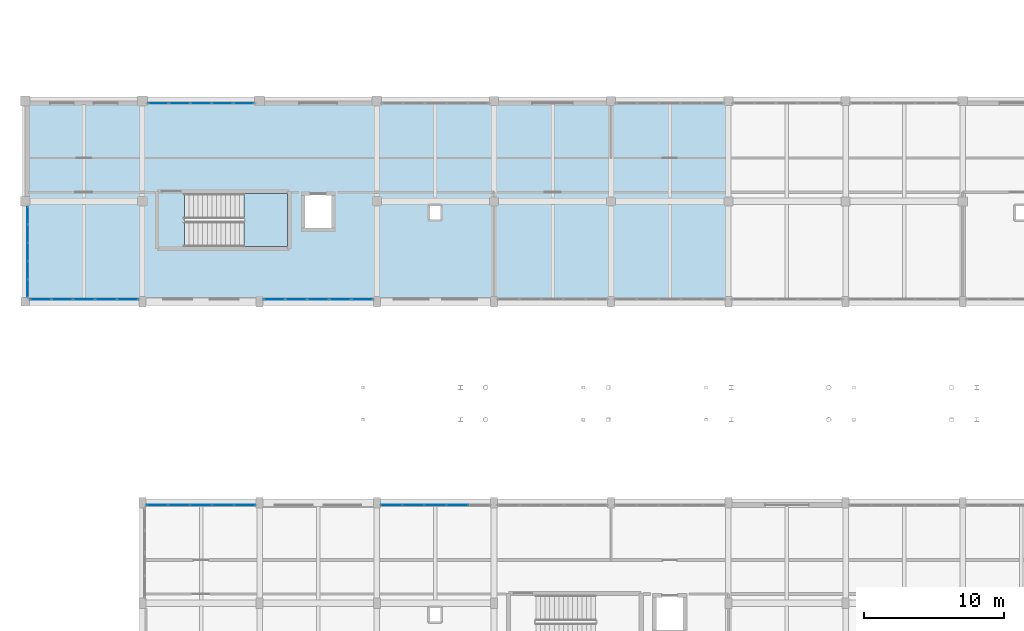
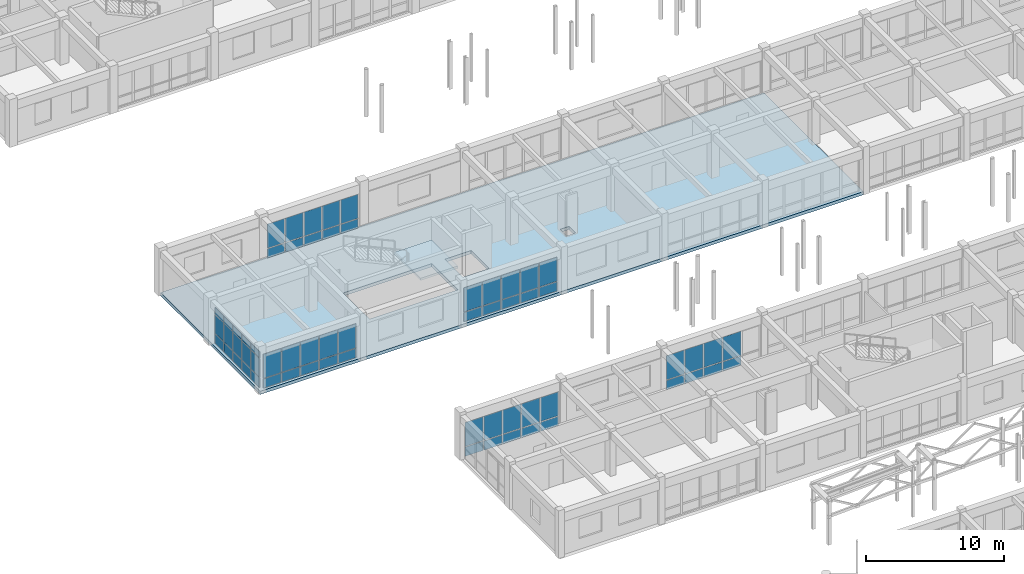
# One storey, part 106 of 147: 63 plates, 2 slabs, 7 elements without a shape of their own.
"""IFC4 building model written with IfcOpenShell, lengths in metres."""

from ifc_helpers import new_model, si_unit, direction, frame, origin, origin_2d, place, context, subcontext, project, spatial, polyline, rectangle, outline, extrude, material, layer, layer_set, type_object, element, aggregate, save


model = new_model("IFC4")

# Units and contexts
model_context = context("Model", 3, precision=1e-05, world=origin(), true_north=direction((0.0, 1.0)))
body_context = subcontext(model_context, "Body", "Model", "MODEL_VIEW")
ifc_project = project(units=[si_unit("LENGTHUNIT", "METRE"), si_unit("AREAUNIT", "SQUARE_METRE"), si_unit("VOLUMEUNIT", "CUBIC_METRE"), si_unit("PLANEANGLEUNIT", "RADIAN"), si_unit("MASSUNIT", "GRAM", prefix="KILO")], contexts=[model_context])

# Site, building, storey
site_placement = place(None, origin())
site = spatial("IfcSite", under=ifc_project, at=site_placement, CompositionType="ELEMENT")
building_placement = place(site_placement, origin())
building = spatial("IfcBuilding", under=site, at=building_placement, Name="Malvenik Polytechnic", CompositionType="ELEMENT")
storey_placement = place(building_placement, frame((0.0, 0.0, 5.10009765625)))
storey = spatial("IfcBuildingStorey", under=building, at=storey_placement, Name="L01", CompositionType="ELEMENT", Elevation=5.10009765625)

# Curtain wall, plates
ifc_material_1 = material(Name="Anodised aluminium 6060-T6", Category="aluminium")
curtain_wall_type_1 = type_object("IfcCurtainWallType", Name="ARC-CW-CW-02", PredefinedType="NOTDEFINED", material=ifc_material_1)
curtain_wall_1_placement = place(storey_placement, origin())
curtain_wall_1 = element("IfcCurtainWall", 1, at=curtain_wall_1_placement, inside=storey, type_object=curtain_wall_type_1, Name="Unitised Curtain Wall CW-02 L01 #30", PredefinedType="NOTDEFINED")
ifc_material_2 = material(Name="Insulated low-E double glazing 8-16-8", Category="glass")
ifc_layer_1 = layer(ifc_material_2, 0.028076171875)
ifc_layer_set_1 = layer_set([ifc_layer_1], Name="Insulated low-E double glazing 8-16-8")
plate_type_1 = type_object("IfcPlateType", Name="ARC-CWP-CP-GLZ28", PredefinedType="CURTAIN_PANEL", material=ifc_layer_set_1)
plate_1_placement = place(storey_placement, frame((24.146484375, 79.3701171875, 0.929931640625), z_axis=(0.0, 0.0, 1.0), x_axis=(-1.0, 0.0, 0.0)))
plate_1 = element("IfcPlate", 2, at=plate_1_placement, type_object=plate_type_1, Name="CW-02 panel 1.2", PredefinedType="CURTAIN_PANEL", context=body_context, shape_type="SweptSolid", body=[
    extrude(rectangle(XDim=1.49072265625, YDim=0.028076171875, at=origin_2d()), origin(), (0.0, 0.0, 1.0), 2.1201171875),
])
plate_2_placement = place(storey_placement, frame((22.580810546875, 79.3701171875, 0.929931640625), z_axis=(0.0, 0.0, 1.0), x_axis=(-1.0, 0.0, 0.0)))
plate_2 = element("IfcPlate", 3, at=plate_2_placement, type_object=plate_type_1, Name="CW-02 panel 2.2", PredefinedType="CURTAIN_PANEL", context=body_context, shape_type="SweptSolid", body=[
    extrude(rectangle(XDim=1.520751953125, YDim=0.028076171875, at=origin_2d()), origin(), (0.0, 0.0, 1.0), 2.1201171875),
])
plate_3_placement = place(storey_placement, frame((21.0, 79.3701171875, 0.929931640625), z_axis=(0.0, 0.0, 1.0), x_axis=(-1.0, 0.0, 0.0)))
plate_3 = element("IfcPlate", 4, at=plate_3_placement, type_object=plate_type_1, Name="CW-02 panel 3.2", PredefinedType="CURTAIN_PANEL", context=body_context, shape_type="SweptSolid", body=[
    extrude(rectangle(XDim=1.520751953125, YDim=0.028076171875, at=origin_2d()), origin(), (0.0, 0.0, 1.0), 2.1201171875),
])
plate_4_placement = place(storey_placement, frame((19.419189453125, 79.3701171875, 0.929931640625), z_axis=(0.0, 0.0, 1.0), x_axis=(-1.0, 0.0, 0.0)))
plate_4 = element("IfcPlate", 5, at=plate_4_placement, type_object=plate_type_1, Name="CW-02 panel 4.2", PredefinedType="CURTAIN_PANEL", context=body_context, shape_type="SweptSolid", body=[
    extrude(rectangle(XDim=1.520751953125, YDim=0.028076171875, at=origin_2d()), origin(), (0.0, 0.0, 1.0), 2.1201171875),
])
plate_5_placement = place(storey_placement, frame((17.853515625, 79.3701171875, 0.929931640625), z_axis=(0.0, 0.0, 1.0), x_axis=(-1.0, 0.0, 0.0)))
plate_5 = element("IfcPlate", 6, at=plate_5_placement, type_object=plate_type_1, Name="CW-02 panel 5.2", PredefinedType="CURTAIN_PANEL", context=body_context, shape_type="SweptSolid", body=[
    extrude(rectangle(XDim=1.49072265625, YDim=0.028076171875, at=origin_2d()), origin(), (0.0, 0.0, 1.0), 2.1201171875),
])

curtain_wall_2_placement = place(storey_placement, origin())
curtain_wall_2 = element("IfcCurtainWall", 7, at=curtain_wall_2_placement, inside=storey, type_object=curtain_wall_type_1, Name="Unitised Curtain Wall CW-02 L01 #31", PredefinedType="NOTDEFINED")
plate_6_placement = place(storey_placement, frame((7.3515625, 79.3701171875, 0.929931640625), z_axis=(0.0, 0.0, 1.0), x_axis=(-1.0, 0.0, 0.0)))
plate_6 = element("IfcPlate", 8, at=plate_6_placement, type_object=plate_type_1, Name="CW-02 panel 1.2", PredefinedType="CURTAIN_PANEL", context=body_context, shape_type="SweptSolid", body=[
    extrude(rectangle(XDim=1.480712890625, YDim=0.028076171875, at=origin_2d()), origin(), (0.0, 0.0, 1.0), 2.1201171875),
])
plate_7_placement = place(storey_placement, frame((5.7958984375, 79.3701171875, 0.929931640625), z_axis=(0.0, 0.0, 1.0), x_axis=(-1.0, 0.0, 0.0)))
plate_7 = element("IfcPlate", 9, at=plate_7_placement, type_object=plate_type_1, Name="CW-02 panel 2.2", PredefinedType="CURTAIN_PANEL", context=body_context, shape_type="SweptSolid", body=[
    extrude(rectangle(XDim=1.5107421875, YDim=0.028076171875, at=origin_2d()), origin(), (0.0, 0.0, 1.0), 2.1201171875),
])
plate_8_placement = place(storey_placement, frame((4.22509765625, 79.3701171875, 0.929931640625), z_axis=(0.0, 0.0, 1.0), x_axis=(-1.0, 0.0, 0.0)))
plate_8 = element("IfcPlate", 10, at=plate_8_placement, type_object=plate_type_1, Name="CW-02 panel 3.2", PredefinedType="CURTAIN_PANEL", context=body_context, shape_type="SweptSolid", body=[
    extrude(rectangle(XDim=1.5107421875, YDim=0.028076171875, at=origin_2d()), origin(), (0.0, 0.0, 1.0), 2.1201171875),
])
plate_9_placement = place(storey_placement, frame((2.654296875, 79.3701171875, 0.929931640625), z_axis=(0.0, 0.0, 1.0), x_axis=(-1.0, 0.0, 0.0)))
plate_9 = element("IfcPlate", 11, at=plate_9_placement, type_object=plate_type_1, Name="CW-02 panel 4.2", PredefinedType="CURTAIN_PANEL", context=body_context, shape_type="SweptSolid", body=[
    extrude(rectangle(XDim=1.5107421875, YDim=0.028076171875, at=origin_2d()), origin(), (0.0, 0.0, 1.0), 2.1201171875),
])
plate_10_placement = place(storey_placement, frame((1.098388671875, 79.3701171875, 0.929931640625), z_axis=(0.0, 0.0, 1.0), x_axis=(-1.0, 0.0, 0.0)))
plate_10 = element("IfcPlate", 12, at=plate_10_placement, type_object=plate_type_1, Name="CW-02 panel 5.2", PredefinedType="CURTAIN_PANEL", context=body_context, shape_type="SweptSolid", body=[
    extrude(rectangle(XDim=1.480712890625, YDim=0.028076171875, at=origin_2d()), origin(), (0.0, 0.0, 1.0), 2.1201171875),
])

curtain_wall_type_2 = type_object("IfcCurtainWallType", Name="ARC-CW-CW-05", PredefinedType="NOTDEFINED", material=ifc_material_1)
curtain_wall_3_placement = place(storey_placement, origin())
curtain_wall_3 = element("IfcCurtainWall", 13, at=curtain_wall_3_placement, inside=storey, type_object=curtain_wall_type_2, Name="Unitised Curtain Wall CW-05 L01 #32", PredefinedType="NOTDEFINED")
plate_11_placement = place(storey_placement, frame((0.169921875, 80.16845703125, 0.97998046875), z_axis=(0.0, 0.0, 1.0), x_axis=(0.0, 1.0, 0.0)))
plate_11 = element("IfcPlate", 14, at=plate_11_placement, type_object=plate_type_1, Name="CW-05 panel 1.2", PredefinedType="CURTAIN_PANEL", context=body_context, shape_type="SweptSolid", body=[
    extrude(rectangle(XDim=1.220703125, YDim=0.028076171875, at=origin_2d()), origin(), (0.0, 0.0, 1.0), 1.64990234375),
])
plate_12_placement = place(storey_placement, frame((0.169921875, 80.16845703125, 2.68994140625), z_axis=(0.0, 0.0, 1.0), x_axis=(0.0, 1.0, 0.0)))
plate_12 = element("IfcPlate", 15, at=plate_12_placement, type_object=plate_type_1, Name="CW-05 panel 1.3", PredefinedType="CURTAIN_PANEL", context=body_context, shape_type="SweptSolid", body=[
    extrude(rectangle(XDim=1.220703125, YDim=0.028076171875, at=origin_2d()), origin(), (0.0, 0.0, 1.0), 0.56005859375),
])
plate_13_placement = place(storey_placement, frame((0.169921875, 81.464111328125, 0.97998046875), z_axis=(0.0, 0.0, 1.0), x_axis=(0.0, 1.0, 0.0)))
plate_13 = element("IfcPlate", 16, at=plate_13_placement, type_object=plate_type_1, Name="CW-05 panel 2.2", PredefinedType="CURTAIN_PANEL", context=body_context, shape_type="SweptSolid", body=[
    extrude(rectangle(XDim=1.250732421875, YDim=0.028076171875, at=origin_2d()), origin(), (0.0, 0.0, 1.0), 1.64990234375),
])
plate_14_placement = place(storey_placement, frame((0.169921875, 81.464111328125, 2.68994140625), z_axis=(0.0, 0.0, 1.0), x_axis=(0.0, 1.0, 0.0)))
plate_14 = element("IfcPlate", 17, at=plate_14_placement, type_object=plate_type_1, Name="CW-05 panel 2.3", PredefinedType="CURTAIN_PANEL", context=body_context, shape_type="SweptSolid", body=[
    extrude(rectangle(XDim=1.250732421875, YDim=0.028076171875, at=origin_2d()), origin(), (0.0, 0.0, 1.0), 0.56005859375),
])
plate_15_placement = place(storey_placement, frame((0.169921875, 82.77490234375, 0.97998046875), z_axis=(0.0, 0.0, 1.0), x_axis=(0.0, 1.0, 0.0)))
plate_15 = element("IfcPlate", 18, at=plate_15_placement, type_object=plate_type_1, Name="CW-05 panel 3.2", PredefinedType="CURTAIN_PANEL", context=body_context, shape_type="SweptSolid", body=[
    extrude(rectangle(XDim=1.250732421875, YDim=0.028076171875, at=origin_2d()), origin(), (0.0, 0.0, 1.0), 1.64990234375),
])
plate_16_placement = place(storey_placement, frame((0.169921875, 82.77490234375, 2.68994140625), z_axis=(0.0, 0.0, 1.0), x_axis=(0.0, 1.0, 0.0)))
plate_16 = element("IfcPlate", 19, at=plate_16_placement, type_object=plate_type_1, Name="CW-05 panel 3.3", PredefinedType="CURTAIN_PANEL", context=body_context, shape_type="SweptSolid", body=[
    extrude(rectangle(XDim=1.250732421875, YDim=0.028076171875, at=origin_2d()), origin(), (0.0, 0.0, 1.0), 0.56005859375),
])
plate_17_placement = place(storey_placement, frame((0.169921875, 84.085693359375, 0.97998046875), z_axis=(0.0, 0.0, 1.0), x_axis=(0.0, 1.0, 0.0)))
plate_17 = element("IfcPlate", 20, at=plate_17_placement, type_object=plate_type_1, Name="CW-05 panel 4.2", PredefinedType="CURTAIN_PANEL", context=body_context, shape_type="SweptSolid", body=[
    extrude(rectangle(XDim=1.250732421875, YDim=0.028076171875, at=origin_2d()), origin(), (0.0, 0.0, 1.0), 1.64990234375),
])
plate_18_placement = place(storey_placement, frame((0.169921875, 84.085693359375, 2.68994140625), z_axis=(0.0, 0.0, 1.0), x_axis=(0.0, 1.0, 0.0)))
plate_18 = element("IfcPlate", 21, at=plate_18_placement, type_object=plate_type_1, Name="CW-05 panel 4.3", PredefinedType="CURTAIN_PANEL", context=body_context, shape_type="SweptSolid", body=[
    extrude(rectangle(XDim=1.250732421875, YDim=0.028076171875, at=origin_2d()), origin(), (0.0, 0.0, 1.0), 0.56005859375),
])
plate_19_placement = place(storey_placement, frame((0.169921875, 85.381591796875, 0.97998046875), z_axis=(0.0, 0.0, 1.0), x_axis=(0.0, 1.0, 0.0)))
plate_19 = element("IfcPlate", 22, at=plate_19_placement, type_object=plate_type_1, Name="CW-05 panel 5.2", PredefinedType="CURTAIN_PANEL", context=body_context, shape_type="SweptSolid", body=[
    extrude(rectangle(XDim=1.220703125, YDim=0.028076171875, at=origin_2d()), origin(), (0.0, 0.0, 1.0), 1.64990234375),
])
plate_20_placement = place(storey_placement, frame((0.169921875, 85.381591796875, 2.68994140625), z_axis=(0.0, 0.0, 1.0), x_axis=(0.0, 1.0, 0.0)))
plate_20 = element("IfcPlate", 23, at=plate_20_placement, type_object=plate_type_1, Name="CW-05 panel 5.3", PredefinedType="CURTAIN_PANEL", context=body_context, shape_type="SweptSolid", body=[
    extrude(rectangle(XDim=1.220703125, YDim=0.028076171875, at=origin_2d()), origin(), (0.0, 0.0, 1.0), 0.56005859375),
])

curtain_wall_4_placement = place(storey_placement, origin())
curtain_wall_4 = element("IfcCurtainWall", 24, at=curtain_wall_4_placement, inside=storey, type_object=curtain_wall_type_1, Name="Unitised Curtain Wall CW-02 L01 #33", PredefinedType="NOTDEFINED")
plate_21_placement = place(storey_placement, frame((9.533447265625, 93.429931640625, 0.929931640625), z_axis=(0.0, 0.0, 1.0), x_axis=(1.0, 0.0, 0.0)))
plate_21 = element("IfcPlate", 25, at=plate_21_placement, type_object=plate_type_1, Name="CW-02 panel 1.2", PredefinedType="CURTAIN_PANEL", context=body_context, shape_type="SweptSolid", body=[
    extrude(rectangle(XDim=1.45068359375, YDim=0.028076171875, at=origin_2d()), origin(), (0.0, 0.0, 1.0), 2.1201171875),
])
plate_22_placement = place(storey_placement, frame((11.05908203125, 93.429931640625, 0.929931640625), z_axis=(0.0, 0.0, 1.0), x_axis=(1.0, 0.0, 0.0)))
plate_22 = element("IfcPlate", 26, at=plate_22_placement, type_object=plate_type_1, Name="CW-02 panel 2.2", PredefinedType="CURTAIN_PANEL", context=body_context, shape_type="SweptSolid", body=[
    extrude(rectangle(XDim=1.480712890625, YDim=0.028076171875, at=origin_2d()), origin(), (0.0, 0.0, 1.0), 2.1201171875),
])
plate_23_placement = place(storey_placement, frame((12.60009765625, 93.429931640625, 0.929931640625), z_axis=(0.0, 0.0, 1.0), x_axis=(1.0, 0.0, 0.0)))
plate_23 = element("IfcPlate", 27, at=plate_23_placement, type_object=plate_type_1, Name="CW-02 panel 3.2", PredefinedType="CURTAIN_PANEL", context=body_context, shape_type="SweptSolid", body=[
    extrude(rectangle(XDim=1.480712890625, YDim=0.028076171875, at=origin_2d()), origin(), (0.0, 0.0, 1.0), 2.1201171875),
])
plate_24_placement = place(storey_placement, frame((14.140869140625, 93.429931640625, 0.929931640625), z_axis=(0.0, 0.0, 1.0), x_axis=(1.0, 0.0, 0.0)))
plate_24 = element("IfcPlate", 28, at=plate_24_placement, type_object=plate_type_1, Name="CW-02 panel 4.2", PredefinedType="CURTAIN_PANEL", context=body_context, shape_type="SweptSolid", body=[
    extrude(rectangle(XDim=1.480712890625, YDim=0.028076171875, at=origin_2d()), origin(), (0.0, 0.0, 1.0), 2.1201171875),
])
plate_25_placement = place(storey_placement, frame((15.66650390625, 93.429931640625, 0.929931640625), z_axis=(0.0, 0.0, 1.0), x_axis=(1.0, 0.0, 0.0)))
plate_25 = element("IfcPlate", 29, at=plate_25_placement, type_object=plate_type_1, Name="CW-02 panel 5.2", PredefinedType="CURTAIN_PANEL", context=body_context, shape_type="SweptSolid", body=[
    extrude(rectangle(XDim=1.45068359375, YDim=0.028076171875, at=origin_2d()), origin(), (0.0, 0.0, 1.0), 2.1201171875),
])

curtain_wall_5_placement = place(storey_placement, origin())
curtain_wall_5 = element("IfcCurtainWall", 30, at=curtain_wall_5_placement, inside=storey, type_object=curtain_wall_type_1, Name="Unitised Curtain Wall CW-02 L01 #124", PredefinedType="NOTDEFINED")
plate_26_placement = place(storey_placement, frame((9.453369140625, 64.6298828125, 0.929931640625), z_axis=(0.0, 0.0, 1.0), x_axis=(1.0, 0.0, 0.0)))
plate_26 = element("IfcPlate", 31, at=plate_26_placement, type_object=plate_type_1, Name="CW-02 panel 1.2", PredefinedType="CURTAIN_PANEL", context=body_context, shape_type="SweptSolid", body=[
    extrude(rectangle(XDim=1.49072265625, YDim=0.028076171875, at=origin_2d()), origin(), (0.0, 0.0, 1.0), 2.1201171875),
])
plate_27_placement = place(storey_placement, frame((11.019287109375, 64.6298828125, 0.929931640625), z_axis=(0.0, 0.0, 1.0), x_axis=(1.0, 0.0, 0.0)))
plate_27 = element("IfcPlate", 32, at=plate_27_placement, type_object=plate_type_1, Name="CW-02 panel 2.2", PredefinedType="CURTAIN_PANEL", context=body_context, shape_type="SweptSolid", body=[
    extrude(rectangle(XDim=1.520751953125, YDim=0.028076171875, at=origin_2d()), origin(), (0.0, 0.0, 1.0), 2.1201171875),
])
plate_28_placement = place(storey_placement, frame((12.60009765625, 64.6298828125, 0.929931640625), z_axis=(0.0, 0.0, 1.0), x_axis=(1.0, 0.0, 0.0)))
plate_28 = element("IfcPlate", 33, at=plate_28_placement, type_object=plate_type_1, Name="CW-02 panel 3.2", PredefinedType="CURTAIN_PANEL", context=body_context, shape_type="SweptSolid", body=[
    extrude(rectangle(XDim=1.520751953125, YDim=0.028076171875, at=origin_2d()), origin(), (0.0, 0.0, 1.0), 2.1201171875),
])
plate_29_placement = place(storey_placement, frame((14.180908203125, 64.6298828125, 0.929931640625), z_axis=(0.0, 0.0, 1.0), x_axis=(1.0, 0.0, 0.0)))
plate_29 = element("IfcPlate", 34, at=plate_29_placement, type_object=plate_type_1, Name="CW-02 panel 4.2", PredefinedType="CURTAIN_PANEL", context=body_context, shape_type="SweptSolid", body=[
    extrude(rectangle(XDim=1.520751953125, YDim=0.028076171875, at=origin_2d()), origin(), (0.0, 0.0, 1.0), 2.1201171875),
])
plate_30_placement = place(storey_placement, frame((15.74658203125, 64.6298828125, 0.929931640625), z_axis=(0.0, 0.0, 1.0), x_axis=(1.0, 0.0, 0.0)))
plate_30 = element("IfcPlate", 35, at=plate_30_placement, type_object=plate_type_1, Name="CW-02 panel 5.2", PredefinedType="CURTAIN_PANEL", context=body_context, shape_type="SweptSolid", body=[
    extrude(rectangle(XDim=1.49072265625, YDim=0.028076171875, at=origin_2d()), origin(), (0.0, 0.0, 1.0), 2.1201171875),
])

curtain_wall_6_placement = place(storey_placement, origin())
curtain_wall_6 = element("IfcCurtainWall", 36, at=curtain_wall_6_placement, inside=storey, type_object=curtain_wall_type_1, Name="Unitised Curtain Wall CW-02 L01 #125", PredefinedType="NOTDEFINED")
plate_31_placement = place(storey_placement, frame((26.25341796875, 64.6298828125, 0.929931640625), z_axis=(0.0, 0.0, 1.0), x_axis=(1.0, 0.0, 0.0)))
plate_31 = element("IfcPlate", 37, at=plate_31_placement, type_object=plate_type_1, Name="CW-02 panel 1.2", PredefinedType="CURTAIN_PANEL", context=body_context, shape_type="SweptSolid", body=[
    extrude(rectangle(XDim=1.49072265625, YDim=0.028076171875, at=origin_2d()), origin(), (0.0, 0.0, 1.0), 2.1201171875),
])
plate_32_placement = place(storey_placement, frame((27.819091796875, 64.6298828125, 0.929931640625), z_axis=(0.0, 0.0, 1.0), x_axis=(1.0, 0.0, 0.0)))
plate_32 = element("IfcPlate", 38, at=plate_32_placement, type_object=plate_type_1, Name="CW-02 panel 2.2", PredefinedType="CURTAIN_PANEL", context=body_context, shape_type="SweptSolid", body=[
    extrude(rectangle(XDim=1.520751953125, YDim=0.028076171875, at=origin_2d()), origin(), (0.0, 0.0, 1.0), 2.1201171875),
])
plate_33_placement = place(storey_placement, frame((29.39990234375, 64.6298828125, 0.929931640625), z_axis=(0.0, 0.0, 1.0), x_axis=(1.0, 0.0, 0.0)))
plate_33 = element("IfcPlate", 39, at=plate_33_placement, type_object=plate_type_1, Name="CW-02 panel 3.2", PredefinedType="CURTAIN_PANEL", context=body_context, shape_type="SweptSolid", body=[
    extrude(rectangle(XDim=1.520751953125, YDim=0.028076171875, at=origin_2d()), origin(), (0.0, 0.0, 1.0), 2.1201171875),
])
plate_34_placement = place(storey_placement, frame((30.980712890625, 64.6298828125, 0.929931640625), z_axis=(0.0, 0.0, 1.0), x_axis=(1.0, 0.0, 0.0)))
plate_34 = element("IfcPlate", 40, at=plate_34_placement, type_object=plate_type_1, Name="CW-02 panel 4.2", PredefinedType="CURTAIN_PANEL", context=body_context, shape_type="SweptSolid", body=[
    extrude(rectangle(XDim=1.520751953125, YDim=0.028076171875, at=origin_2d()), origin(), (0.0, 0.0, 1.0), 2.1201171875),
])

# Plate
ifc_material_3 = material(Name="Insulated aluminium spandrel cassette 42mm", Category="aluminium")
ifc_layer_2 = layer(ifc_material_3, 0.0419921875)
ifc_layer_set_2 = layer_set([ifc_layer_2], Name="Insulated aluminium spandrel cassette 42mm")
plate_type_2 = type_object("IfcPlateType", Name="ARC-CWP-CP-SPN42", PredefinedType="CURTAIN_PANEL", material=ifc_layer_set_2)
plate_35_placement = place(storey_placement, frame((24.146484375, 79.3701171875, 0.059814453125), z_axis=(0.0, 0.0, 1.0), x_axis=(-1.0, 0.0, 0.0)))
plate_35 = element("IfcPlate", 41, at=plate_35_placement, type_object=plate_type_2, Name="CW-02 panel 1.1", PredefinedType="CURTAIN_PANEL", context=body_context, shape_type="SweptSolid", body=[
    extrude(rectangle(XDim=1.49072265625, YDim=0.028076171875, at=origin_2d()), origin(), (0.0, 0.0, 1.0), 0.81005859375),
])

plate_36_placement = place(storey_placement, frame((22.580810546875, 79.3701171875, 0.059814453125), z_axis=(0.0, 0.0, 1.0), x_axis=(-1.0, 0.0, 0.0)))
plate_36 = element("IfcPlate", 42, at=plate_36_placement, type_object=plate_type_2, Name="CW-02 panel 2.1", PredefinedType="CURTAIN_PANEL", context=body_context, shape_type="SweptSolid", body=[
    extrude(rectangle(XDim=1.520751953125, YDim=0.028076171875, at=origin_2d()), origin(), (0.0, 0.0, 1.0), 0.81005859375),
])

plate_37_placement = place(storey_placement, frame((21.0, 79.3701171875, 0.059814453125), z_axis=(0.0, 0.0, 1.0), x_axis=(-1.0, 0.0, 0.0)))
plate_37 = element("IfcPlate", 43, at=plate_37_placement, type_object=plate_type_2, Name="CW-02 panel 3.1", PredefinedType="CURTAIN_PANEL", context=body_context, shape_type="SweptSolid", body=[
    extrude(rectangle(XDim=1.520751953125, YDim=0.028076171875, at=origin_2d()), origin(), (0.0, 0.0, 1.0), 0.81005859375),
])

plate_38_placement = place(storey_placement, frame((19.419189453125, 79.3701171875, 0.059814453125), z_axis=(0.0, 0.0, 1.0), x_axis=(-1.0, 0.0, 0.0)))
plate_38 = element("IfcPlate", 44, at=plate_38_placement, type_object=plate_type_2, Name="CW-02 panel 4.1", PredefinedType="CURTAIN_PANEL", context=body_context, shape_type="SweptSolid", body=[
    extrude(rectangle(XDim=1.520751953125, YDim=0.028076171875, at=origin_2d()), origin(), (0.0, 0.0, 1.0), 0.81005859375),
])

plate_39_placement = place(storey_placement, frame((17.853515625, 79.3701171875, 0.059814453125), z_axis=(0.0, 0.0, 1.0), x_axis=(-1.0, 0.0, 0.0)))
plate_39 = element("IfcPlate", 45, at=plate_39_placement, type_object=plate_type_2, Name="CW-02 panel 5.1", PredefinedType="CURTAIN_PANEL", context=body_context, shape_type="SweptSolid", body=[
    extrude(rectangle(XDim=1.49072265625, YDim=0.028076171875, at=origin_2d()), origin(), (0.0, 0.0, 1.0), 0.81005859375),
])

aggregate(curtain_wall_1, [plate_35, plate_1, plate_36, plate_2, plate_37, plate_3, plate_38, plate_4, plate_39, plate_5])

plate_40_placement = place(storey_placement, frame((7.3515625, 79.3701171875, 0.059814453125), z_axis=(0.0, 0.0, 1.0), x_axis=(-1.0, 0.0, 0.0)))
plate_40 = element("IfcPlate", 46, at=plate_40_placement, type_object=plate_type_2, Name="CW-02 panel 1.1", PredefinedType="CURTAIN_PANEL", context=body_context, shape_type="SweptSolid", body=[
    extrude(rectangle(XDim=1.480712890625, YDim=0.028076171875, at=origin_2d()), origin(), (0.0, 0.0, 1.0), 0.81005859375),
])

plate_41_placement = place(storey_placement, frame((5.7958984375, 79.3701171875, 0.059814453125), z_axis=(0.0, 0.0, 1.0), x_axis=(-1.0, 0.0, 0.0)))
plate_41 = element("IfcPlate", 47, at=plate_41_placement, type_object=plate_type_2, Name="CW-02 panel 2.1", PredefinedType="CURTAIN_PANEL", context=body_context, shape_type="SweptSolid", body=[
    extrude(rectangle(XDim=1.5107421875, YDim=0.028076171875, at=origin_2d()), origin(), (0.0, 0.0, 1.0), 0.81005859375),
])

plate_42_placement = place(storey_placement, frame((4.22509765625, 79.3701171875, 0.059814453125), z_axis=(0.0, 0.0, 1.0), x_axis=(-1.0, 0.0, 0.0)))
plate_42 = element("IfcPlate", 48, at=plate_42_placement, type_object=plate_type_2, Name="CW-02 panel 3.1", PredefinedType="CURTAIN_PANEL", context=body_context, shape_type="SweptSolid", body=[
    extrude(rectangle(XDim=1.5107421875, YDim=0.028076171875, at=origin_2d()), origin(), (0.0, 0.0, 1.0), 0.81005859375),
])

plate_43_placement = place(storey_placement, frame((2.654296875, 79.3701171875, 0.059814453125), z_axis=(0.0, 0.0, 1.0), x_axis=(-1.0, 0.0, 0.0)))
plate_43 = element("IfcPlate", 49, at=plate_43_placement, type_object=plate_type_2, Name="CW-02 panel 4.1", PredefinedType="CURTAIN_PANEL", context=body_context, shape_type="SweptSolid", body=[
    extrude(rectangle(XDim=1.5107421875, YDim=0.028076171875, at=origin_2d()), origin(), (0.0, 0.0, 1.0), 0.81005859375),
])

plate_44_placement = place(storey_placement, frame((1.098388671875, 79.3701171875, 0.059814453125), z_axis=(0.0, 0.0, 1.0), x_axis=(-1.0, 0.0, 0.0)))
plate_44 = element("IfcPlate", 50, at=plate_44_placement, type_object=plate_type_2, Name="CW-02 panel 5.1", PredefinedType="CURTAIN_PANEL", context=body_context, shape_type="SweptSolid", body=[
    extrude(rectangle(XDim=1.480712890625, YDim=0.028076171875, at=origin_2d()), origin(), (0.0, 0.0, 1.0), 0.81005859375),
])

aggregate(curtain_wall_2, [plate_40, plate_6, plate_41, plate_7, plate_42, plate_8, plate_43, plate_9, plate_44, plate_10])

plate_45_placement = place(storey_placement, frame((0.169921875, 80.16845703125, 0.06005859375), z_axis=(0.0, 0.0, 1.0), x_axis=(0.0, 1.0, 0.0)))
plate_45 = element("IfcPlate", 51, at=plate_45_placement, type_object=plate_type_2, Name="CW-05 panel 1.1", PredefinedType="CURTAIN_PANEL", context=body_context, shape_type="SweptSolid", body=[
    extrude(rectangle(XDim=1.220703125, YDim=0.028076171875, at=origin_2d()), origin(), (0.0, 0.0, 1.0), 0.860107421875),
])

plate_46_placement = place(storey_placement, frame((0.169921875, 81.464111328125, 0.06005859375), z_axis=(0.0, 0.0, 1.0), x_axis=(0.0, 1.0, 0.0)))
plate_46 = element("IfcPlate", 52, at=plate_46_placement, type_object=plate_type_2, Name="CW-05 panel 2.1", PredefinedType="CURTAIN_PANEL", context=body_context, shape_type="SweptSolid", body=[
    extrude(rectangle(XDim=1.250732421875, YDim=0.028076171875, at=origin_2d()), origin(), (0.0, 0.0, 1.0), 0.860107421875),
])

plate_47_placement = place(storey_placement, frame((0.169921875, 82.77490234375, 0.06005859375), z_axis=(0.0, 0.0, 1.0), x_axis=(0.0, 1.0, 0.0)))
plate_47 = element("IfcPlate", 53, at=plate_47_placement, type_object=plate_type_2, Name="CW-05 panel 3.1", PredefinedType="CURTAIN_PANEL", context=body_context, shape_type="SweptSolid", body=[
    extrude(rectangle(XDim=1.250732421875, YDim=0.028076171875, at=origin_2d()), origin(), (0.0, 0.0, 1.0), 0.860107421875),
])

plate_48_placement = place(storey_placement, frame((0.169921875, 84.085693359375, 0.06005859375), z_axis=(0.0, 0.0, 1.0), x_axis=(0.0, 1.0, 0.0)))
plate_48 = element("IfcPlate", 54, at=plate_48_placement, type_object=plate_type_2, Name="CW-05 panel 4.1", PredefinedType="CURTAIN_PANEL", context=body_context, shape_type="SweptSolid", body=[
    extrude(rectangle(XDim=1.250732421875, YDim=0.028076171875, at=origin_2d()), origin(), (0.0, 0.0, 1.0), 0.860107421875),
])

plate_49_placement = place(storey_placement, frame((0.169921875, 85.381591796875, 0.06005859375), z_axis=(0.0, 0.0, 1.0), x_axis=(0.0, 1.0, 0.0)))
plate_49 = element("IfcPlate", 55, at=plate_49_placement, type_object=plate_type_2, Name="CW-05 panel 5.1", PredefinedType="CURTAIN_PANEL", context=body_context, shape_type="SweptSolid", body=[
    extrude(rectangle(XDim=1.220703125, YDim=0.028076171875, at=origin_2d()), origin(), (0.0, 0.0, 1.0), 0.860107421875),
])

aggregate(curtain_wall_3, [plate_45, plate_11, plate_12, plate_46, plate_13, plate_14, plate_47, plate_15, plate_16, plate_48, plate_17, plate_18, plate_49, plate_19, plate_20])

plate_50_placement = place(storey_placement, frame((9.533447265625, 93.429931640625, 0.059814453125), z_axis=(0.0, 0.0, 1.0), x_axis=(1.0, 0.0, 0.0)))
plate_50 = element("IfcPlate", 56, at=plate_50_placement, type_object=plate_type_2, Name="CW-02 panel 1.1", PredefinedType="CURTAIN_PANEL", context=body_context, shape_type="SweptSolid", body=[
    extrude(rectangle(XDim=1.45068359375, YDim=0.028076171875, at=origin_2d()), origin(), (0.0, 0.0, 1.0), 0.81005859375),
])

plate_51_placement = place(storey_placement, frame((11.05908203125, 93.429931640625, 0.059814453125), z_axis=(0.0, 0.0, 1.0), x_axis=(1.0, 0.0, 0.0)))
plate_51 = element("IfcPlate", 57, at=plate_51_placement, type_object=plate_type_2, Name="CW-02 panel 2.1", PredefinedType="CURTAIN_PANEL", context=body_context, shape_type="SweptSolid", body=[
    extrude(rectangle(XDim=1.480712890625, YDim=0.028076171875, at=origin_2d()), origin(), (0.0, 0.0, 1.0), 0.81005859375),
])

plate_52_placement = place(storey_placement, frame((12.60009765625, 93.429931640625, 0.059814453125), z_axis=(0.0, 0.0, 1.0), x_axis=(1.0, 0.0, 0.0)))
plate_52 = element("IfcPlate", 58, at=plate_52_placement, type_object=plate_type_2, Name="CW-02 panel 3.1", PredefinedType="CURTAIN_PANEL", context=body_context, shape_type="SweptSolid", body=[
    extrude(rectangle(XDim=1.480712890625, YDim=0.028076171875, at=origin_2d()), origin(), (0.0, 0.0, 1.0), 0.81005859375),
])

plate_53_placement = place(storey_placement, frame((14.140869140625, 93.429931640625, 0.059814453125), z_axis=(0.0, 0.0, 1.0), x_axis=(1.0, 0.0, 0.0)))
plate_53 = element("IfcPlate", 59, at=plate_53_placement, type_object=plate_type_2, Name="CW-02 panel 4.1", PredefinedType="CURTAIN_PANEL", context=body_context, shape_type="SweptSolid", body=[
    extrude(rectangle(XDim=1.480712890625, YDim=0.028076171875, at=origin_2d()), origin(), (0.0, 0.0, 1.0), 0.81005859375),
])

plate_54_placement = place(storey_placement, frame((15.66650390625, 93.429931640625, 0.059814453125), z_axis=(0.0, 0.0, 1.0), x_axis=(1.0, 0.0, 0.0)))
plate_54 = element("IfcPlate", 60, at=plate_54_placement, type_object=plate_type_2, Name="CW-02 panel 5.1", PredefinedType="CURTAIN_PANEL", context=body_context, shape_type="SweptSolid", body=[
    extrude(rectangle(XDim=1.45068359375, YDim=0.028076171875, at=origin_2d()), origin(), (0.0, 0.0, 1.0), 0.81005859375),
])

aggregate(curtain_wall_4, [plate_50, plate_21, plate_51, plate_22, plate_52, plate_23, plate_53, plate_24, plate_54, plate_25])

plate_55_placement = place(storey_placement, frame((9.453369140625, 64.6298828125, 0.059814453125), z_axis=(0.0, 0.0, 1.0), x_axis=(1.0, 0.0, 0.0)))
plate_55 = element("IfcPlate", 61, at=plate_55_placement, type_object=plate_type_2, Name="CW-02 panel 1.1", PredefinedType="CURTAIN_PANEL", context=body_context, shape_type="SweptSolid", body=[
    extrude(rectangle(XDim=1.49072265625, YDim=0.028076171875, at=origin_2d()), origin(), (0.0, 0.0, 1.0), 0.81005859375),
])

plate_56_placement = place(storey_placement, frame((11.019287109375, 64.6298828125, 0.059814453125), z_axis=(0.0, 0.0, 1.0), x_axis=(1.0, 0.0, 0.0)))
plate_56 = element("IfcPlate", 62, at=plate_56_placement, type_object=plate_type_2, Name="CW-02 panel 2.1", PredefinedType="CURTAIN_PANEL", context=body_context, shape_type="SweptSolid", body=[
    extrude(rectangle(XDim=1.520751953125, YDim=0.028076171875, at=origin_2d()), origin(), (0.0, 0.0, 1.0), 0.81005859375),
])

plate_57_placement = place(storey_placement, frame((12.60009765625, 64.6298828125, 0.059814453125), z_axis=(0.0, 0.0, 1.0), x_axis=(1.0, 0.0, 0.0)))
plate_57 = element("IfcPlate", 63, at=plate_57_placement, type_object=plate_type_2, Name="CW-02 panel 3.1", PredefinedType="CURTAIN_PANEL", context=body_context, shape_type="SweptSolid", body=[
    extrude(rectangle(XDim=1.520751953125, YDim=0.028076171875, at=origin_2d()), origin(), (0.0, 0.0, 1.0), 0.81005859375),
])

plate_58_placement = place(storey_placement, frame((14.180908203125, 64.6298828125, 0.059814453125), z_axis=(0.0, 0.0, 1.0), x_axis=(1.0, 0.0, 0.0)))
plate_58 = element("IfcPlate", 64, at=plate_58_placement, type_object=plate_type_2, Name="CW-02 panel 4.1", PredefinedType="CURTAIN_PANEL", context=body_context, shape_type="SweptSolid", body=[
    extrude(rectangle(XDim=1.520751953125, YDim=0.028076171875, at=origin_2d()), origin(), (0.0, 0.0, 1.0), 0.81005859375),
])

plate_59_placement = place(storey_placement, frame((15.74658203125, 64.6298828125, 0.059814453125), z_axis=(0.0, 0.0, 1.0), x_axis=(1.0, 0.0, 0.0)))
plate_59 = element("IfcPlate", 65, at=plate_59_placement, type_object=plate_type_2, Name="CW-02 panel 5.1", PredefinedType="CURTAIN_PANEL", context=body_context, shape_type="SweptSolid", body=[
    extrude(rectangle(XDim=1.49072265625, YDim=0.028076171875, at=origin_2d()), origin(), (0.0, 0.0, 1.0), 0.81005859375),
])

aggregate(curtain_wall_5, [plate_55, plate_26, plate_56, plate_27, plate_57, plate_28, plate_58, plate_29, plate_59, plate_30])

plate_60_placement = place(storey_placement, frame((26.25341796875, 64.6298828125, 0.059814453125), z_axis=(0.0, 0.0, 1.0), x_axis=(1.0, 0.0, 0.0)))
plate_60 = element("IfcPlate", 66, at=plate_60_placement, type_object=plate_type_2, Name="CW-02 panel 1.1", PredefinedType="CURTAIN_PANEL", context=body_context, shape_type="SweptSolid", body=[
    extrude(rectangle(XDim=1.49072265625, YDim=0.028076171875, at=origin_2d()), origin(), (0.0, 0.0, 1.0), 0.81005859375),
])

plate_61_placement = place(storey_placement, frame((27.819091796875, 64.6298828125, 0.059814453125), z_axis=(0.0, 0.0, 1.0), x_axis=(1.0, 0.0, 0.0)))
plate_61 = element("IfcPlate", 67, at=plate_61_placement, type_object=plate_type_2, Name="CW-02 panel 2.1", PredefinedType="CURTAIN_PANEL", context=body_context, shape_type="SweptSolid", body=[
    extrude(rectangle(XDim=1.520751953125, YDim=0.028076171875, at=origin_2d()), origin(), (0.0, 0.0, 1.0), 0.81005859375),
])

plate_62_placement = place(storey_placement, frame((29.39990234375, 64.6298828125, 0.059814453125), z_axis=(0.0, 0.0, 1.0), x_axis=(1.0, 0.0, 0.0)))
plate_62 = element("IfcPlate", 68, at=plate_62_placement, type_object=plate_type_2, Name="CW-02 panel 3.1", PredefinedType="CURTAIN_PANEL", context=body_context, shape_type="SweptSolid", body=[
    extrude(rectangle(XDim=1.520751953125, YDim=0.028076171875, at=origin_2d()), origin(), (0.0, 0.0, 1.0), 0.81005859375),
])

plate_63_placement = place(storey_placement, frame((30.980712890625, 64.6298828125, 0.059814453125), z_axis=(0.0, 0.0, 1.0), x_axis=(1.0, 0.0, 0.0)))
plate_63 = element("IfcPlate", 69, at=plate_63_placement, type_object=plate_type_2, Name="CW-02 panel 4.1", PredefinedType="CURTAIN_PANEL", context=body_context, shape_type="SweptSolid", body=[
    extrude(rectangle(XDim=1.520751953125, YDim=0.028076171875, at=origin_2d()), origin(), (0.0, 0.0, 1.0), 0.81005859375),
])

aggregate(curtain_wall_6, [plate_60, plate_31, plate_61, plate_32, plate_62, plate_33, plate_63, plate_34])

# Stair, slab
ifc_material_4 = material(Name="Concrete C35/45", Category="concrete")
stair_type = type_object("IfcStairType", Name="ARC-STR-ST-04", PredefinedType="HALF_TURN_STAIR", material=ifc_material_4)
stair_placement = place(storey_placement, origin())
stair = element("IfcStair", 70, at=stair_placement, inside=storey, type_object=stair_type, Name="L01 Escape Stair ST-04", PredefinedType="HALF_TURN_STAIR")
ifc_layer_3 = layer(ifc_material_4, 0.199951171875)
ifc_layer_set_3 = layer_set([ifc_layer_3], Name="Concrete C35/45")
slab_type_1 = type_object("IfcSlabType", Name="ARC-SLB-STLND", PredefinedType="LANDING", material=ifc_layer_set_3)
slab_1_placement = place(storey_placement, frame((0.0, 0.0, 1.89990234375)))
slab_1 = element("IfcSlab", 71, at=slab_1_placement, type_object=slab_type_1, Name="ST-04 landing 1", PredefinedType="LANDING", context=body_context, shape_type="SweptSolid", body=[
    extrude(outline(polyline([(15.68994140625, 83.14990234375), (18.800048828125, 83.14990234375), (18.800048828125, 86.949951171875), (15.68994140625, 86.949951171875), (15.68994140625, 83.14990234375)])), origin(), (0.0, 0.0, 1.0), 0.199951171875),
])
aggregate(stair, [slab_1])

# Slab
ifc_layer_4 = layer(ifc_material_4, 0.280029296875)
ifc_layer_set_4 = layer_set([ifc_layer_4], Name="Concrete C35/45")
slab_type_2 = type_object("IfcSlabType", Name="STR-SLB-FLR-280", PredefinedType="FLOOR", material=ifc_layer_set_4)
slab_2_placement = place(storey_placement, frame((0.0, 0.0, -0.280029296875)))
element("IfcSlab", 72, at=slab_2_placement, inside=storey, type_object=slab_type_2, Name="Structural Slab L01-V2 #49", PredefinedType="FLOOR", context=body_context, shape_type="SweptSolid", body=[
    extrude(outline(polyline([(50.3798828125, 93.60009765625), (50.3798828125, 79.199951171875), (0.0, 79.199951171875), (0.0, 93.60009765625), (50.3798828125, 93.60009765625)]), holes=[polyline([(18.800048828125, 83.14990234375), (18.800048828125, 86.949951171875), (11.41796875, 86.949951171875), (11.41796875, 83.14990234375), (18.800048828125, 83.14990234375)]), polyline([(29.75, 86.050048828125), (29.0, 86.050048828125), (29.0, 85.10009765625), (29.75, 85.10009765625), (29.75, 86.050048828125)]), polyline([(22.10009765625, 86.949951171875), (19.89990234375, 86.949951171875), (19.89990234375, 84.35009765625), (22.10009765625, 84.35009765625), (22.10009765625, 86.949951171875)])]), origin(), (0.0, 0.0, 1.0), 0.280029296875),
])

save(model, "model.ifc")
